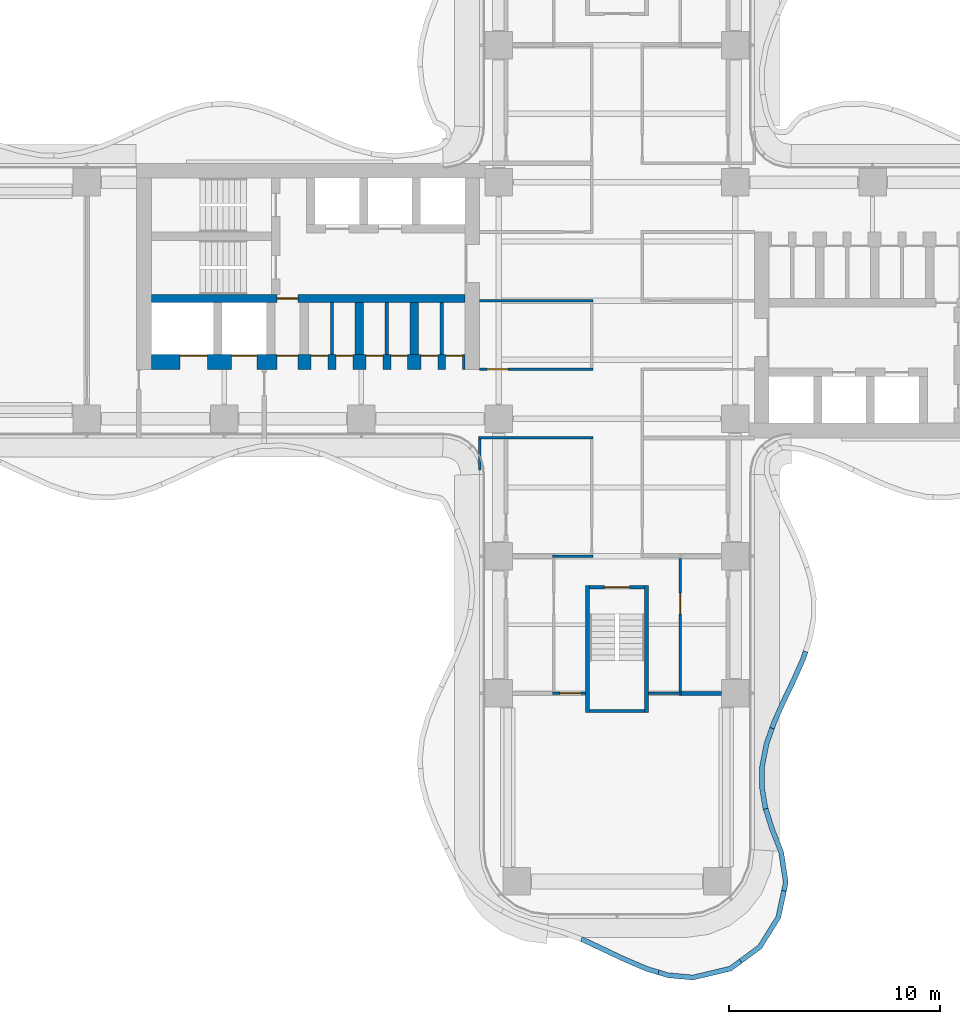
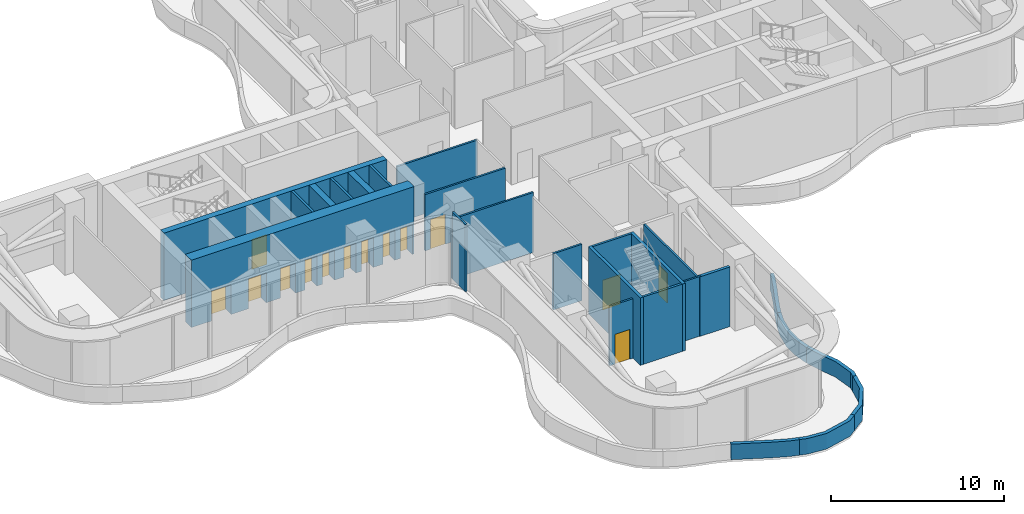
# One storey, part 13 of 20: 26 walls, 14 doors, 14 openings.
"""IFC4 building model written with IfcOpenShell, lengths in metres."""

from ifc_helpers import new_model, si_unit, direction, frame, frame_2d, origin, place, context, subcontext, project, spatial, polyline, rectangle, outline, extrude, source, transform, mapped, material, layer, layer_set, type_object, element, fill, save


model = new_model("IFC4")

# Units and contexts
model_context = context("Model", 3, precision=1e-05, world=origin(), true_north=direction((0.0, 1.0)))
body_context = subcontext(model_context, "Body", "Model", "MODEL_VIEW")
ifc_project = project(units=[si_unit("LENGTHUNIT", "METRE"), si_unit("AREAUNIT", "SQUARE_METRE"), si_unit("VOLUMEUNIT", "CUBIC_METRE"), si_unit("PLANEANGLEUNIT", "RADIAN"), si_unit("MASSUNIT", "GRAM", prefix="KILO")], contexts=[model_context])

# Site, building, storey
site_placement = place(None, origin())
site = spatial("IfcSite", under=ifc_project, at=site_placement, CompositionType="ELEMENT")
building_placement = place(site_placement, origin())
building = spatial("IfcBuilding", under=site, at=building_placement, Name="Trellis Farm Tower", CompositionType="ELEMENT")
storey_placement = place(building_placement, frame((0.0, 0.0, 92.5)))
storey = spatial("IfcBuildingStorey", under=building, at=storey_placement, Name="L19", CompositionType="ELEMENT", Elevation=92.5)

# Walls
ifc_material_1 = material(Name="Sandstone faced insulated wall", Category="masonry")
ifc_layer_1 = layer(ifc_material_1, 0.22509765625)
ifc_layer_set_1 = layer_set([ifc_layer_1], Name="PARAPET WALL 225")
wall_type_1 = type_object("IfcWallType", Name="PARAPET WALL 225", PredefinedType="PARAPET", material=ifc_layer_set_1)
placement = place(storey_placement, origin())
element("IfcWall", 1, at=placement, inside=storey, type_object=wall_type_1, Name="Parapet", PredefinedType="PARAPET", context=body_context, shape_type="SweptSolid", body=[
    extrude(outline(polyline([(9.04345703125, -16.64892578125), (8.914794921875, -17.029541015625), (8.481689453125, -18.00830078125), (7.995849609375, -19.015380859375), (7.54248046875, -20.023681640625), (7.4501953125, -20.2880859375), (7.228759765625, -20.211181640625), (7.322265625, -19.94140625), (7.7822265625, -18.91748046875), (8.267578125, -17.91162109375), (8.697509765625, -16.939453125), (8.821044921875, -16.57373046875), (9.04345703125, -16.64892578125)])), origin(), (0.0, 0.0, 1.0), 1.10009765625),
])
element("IfcWall", 2, at=placement, inside=storey, type_object=wall_type_1, Name="Parapet", PredefinedType="PARAPET", context=body_context, shape_type="SweptSolid", body=[
    extrude(outline(polyline([(7.4501953125, -20.2880859375), (7.193603515625, -21.022216796875), (6.99462890625, -22.035888671875), (6.97900390625, -23.01904296875), (7.130126953125, -23.9580078125), (7.15380859375, -24.03271484375), (6.930908203125, -24.10302734375), (6.899658203125, -24.004150390625), (6.743896484375, -23.025634765625), (6.760009765625, -22.021484375), (6.962158203125, -20.978271484375), (7.228759765625, -20.211181640625), (7.4501953125, -20.2880859375)])), origin(), (0.0, 0.0, 1.0), 1.10009765625),
])
element("IfcWall", 3, at=placement, inside=storey, type_object=wall_type_1, Name="Parapet", PredefinedType="PARAPET", context=body_context, shape_type="SweptSolid", body=[
    extrude(outline(polyline([(7.15380859375, -24.03271484375), (7.453125, -24.976318359375), (7.891845703125, -26.10546875), (8.10595703125, -27.505126953125), (8.103271484375, -27.59716796875), (8.0224609375, -27.974609375), (7.7919921875, -27.9248046875), (7.87109375, -27.558349609375), (7.8720703125, -27.530029296875), (7.659423828125, -26.14599609375), (7.23291015625, -25.058349609375), (6.930908203125, -24.10302734375), (7.15380859375, -24.03271484375)])), origin(), (0.0, 0.0, 1.0), 1.10009765625),
])
element("IfcWall", 4, at=placement, inside=storey, type_object=wall_type_1, Name="Parapet", PredefinedType="PARAPET", context=body_context, shape_type="SweptSolid", body=[
    extrude(outline(polyline([(8.0224609375, -27.974609375), (7.75927734375, -29.205322265625), (7.73828125, -29.263427734375), (6.871826171875, -30.6533203125), (6.828125, -30.70458984375), (5.926513671875, -31.366943359375), (5.7880859375, -31.177978515625), (6.658203125, -30.541015625), (6.678466796875, -30.519287109375), (7.5244140625, -29.165771484375), (7.7919921875, -27.9248046875), (8.0224609375, -27.974609375)])), origin(), (0.0, 0.0, 1.0), 1.10009765625),
])
element("IfcWall", 5, at=placement, inside=storey, type_object=wall_type_1, Name="Parapet", PredefinedType="PARAPET", context=body_context, shape_type="SweptSolid", body=[
    extrude(outline(polyline([(5.926513671875, -31.366943359375), (5.4580078125, -31.711181640625), (5.396728515625, -31.742919921875), (3.634765625, -32.16650390625), (3.584716796875, -32.169921875), (2.40478515625, -32.06298828125), (1.931396484375, -31.921142578125), (1.9990234375, -31.697998046875), (2.430419921875, -31.82861328125), (3.5986328125, -31.933349609375), (5.30126953125, -31.52734375), (5.32861328125, -31.5146484375), (5.7880859375, -31.177978515625), (5.926513671875, -31.366943359375)])), origin(), (0.0, 0.0, 1.0), 1.10009765625),
])
element("IfcWall", 6, at=placement, inside=storey, type_object=wall_type_1, Name="Parapet", PredefinedType="PARAPET", context=body_context, shape_type="SweptSolid", body=[
    extrude(outline(polyline([(1.931396484375, -31.921142578125), (1.388916015625, -31.7587890625), (0.3681640625, -31.32666015625), (-1.633544921875, -30.38330078125), (-1.72900390625, -30.346923828125), (-1.645751953125, -30.127197265625), (-1.546142578125, -30.1650390625), (0.46630859375, -31.113037109375), (1.45947265625, -31.5341796875), (1.9990234375, -31.697998046875), (1.931396484375, -31.921142578125)])), origin(), (0.0, 0.0, 1.0), 1.10009765625),
])
ifc_material_2 = material(Name="Concrete C80/95", Category="concrete")
ifc_layer_2 = layer(ifc_material_2, 0.39990234375)
ifc_layer_set_2 = layer_set([ifc_layer_2], Name="CORE INNER WALL 400 CONCRETE C80/95")
wall_type_2 = type_object("IfcWallType", Name="CORE INNER WALL 400 CONCRETE C80/95", PredefinedType="SHEAR", material=ifc_layer_set_2)
shared_shape_1 = source(origin(), body_context, "Body", "SweptSolid", [
    extrude(rectangle(XDim=2.449951171875, YDim=0.39990234375, at=frame_2d((1.22509765625, 0.0))), origin(), (0.0, 0.0, 1.0), 4.75),
])
for number, where, z_axis, x_axis, name in (
    (7, (-9.60009765625, -0.10009765625, 0.0), (0.0, 0.0, 1.0), (0.0, -1.0, 0.0), "Core wall"),
    (8, (-12.199951171875, -0.10009765625, 0.0), (0.0, 0.0, 1.0), (0.0, -1.0, 0.0), "Core wall"),
):
    element("IfcWall", number, at=place(storey_placement, frame(where, z_axis=z_axis, x_axis=x_axis)), inside=storey, type_object=wall_type_2, Name=name, PredefinedType="SHEAR", context=body_context, shape_type="MappedRepresentation", body=[
        mapped(shared_shape_1, transform((0.0, 0.0, 0.0))),
    ])
ifc_material_3 = material(Name="Masonry blockwork", Category="masonry")
ifc_layer_3 = layer(ifc_material_3, 0.14990234375)
ifc_layer_set_3 = layer_set([ifc_layer_3], Name="CORE PARTITION 150 BLOCKWORK")
wall_type_3 = type_object("IfcWallType", Name="CORE PARTITION 150 BLOCKWORK", PredefinedType="PARTITIONING", material=ifc_layer_set_3)
shared_shape_2 = source(origin(), body_context, "Body", "SweptSolid", [
    extrude(rectangle(XDim=2.449951171875, YDim=0.14990234375, at=frame_2d((1.22509765625, 0.0))), origin(), (0.0, 0.0, 1.0), 4.75),
])
for number, where, z_axis, x_axis, name in (
    (9, (-8.300048828125, -0.10009765625, 0.0), (0.0, 0.0, 1.0), (0.0, -1.0, 0.0), "Core room partition"),
    (10, (-10.89990234375, -0.10009765625, 0.0), (0.0, 0.0, 1.0), (0.0, -1.0, 0.0), "Core room partition"),
    (11, (-13.5, -0.10009765625, 0.0), (0.0, 0.0, 1.0), (0.0, -1.0, 0.0), "Core room partition"),
):
    element("IfcWall", number, at=place(storey_placement, frame(where, z_axis=z_axis, x_axis=x_axis)), inside=storey, type_object=wall_type_3, Name=name, PredefinedType="PARTITIONING", context=body_context, shape_type="MappedRepresentation", body=[
        mapped(shared_shape_2, transform((0.0, 0.0, 0.0))),
    ])

# Wall, openings, doors
ifc_layer_4 = layer(ifc_material_2, 0.699951171875)
ifc_layer_set_4 = layer_set([ifc_layer_4], Name="CORE OUTER WALL 700 CONCRETE C80/95")
wall_type_4 = type_object("IfcWallType", Name="CORE OUTER WALL 700 CONCRETE C80/95", PredefinedType="SHEAR", material=ifc_layer_set_4)
shared_shape_3 = source(origin(), body_context, "Body", "SweptSolid", [
    extrude(rectangle(XDim=14.85009765625, YDim=0.699951171875, at=frame_2d((7.425048828125, 0.0))), origin(), (0.0, 0.0, 1.0), 4.75),
])
wall_7_placement = place(storey_placement, frame((-7.199951171875, -2.89990234375, 0.0), z_axis=(0.0, 0.0, 1.0), x_axis=(-1.0, 0.0, 0.0)))
wall_7 = element("IfcWall", 12, at=wall_7_placement, inside=storey, type_object=wall_type_4, Name="Core wall", PredefinedType="SHEAR", context=body_context, shape_type="MappedRepresentation", body=[
    mapped(shared_shape_3, transform((0.0, 0.0, 0.0))),
])
shared_shape_4 = source(origin(), body_context, "Body", "SweptSolid", [
    extrude(rectangle(XDim=1.300048828125, YDim=2.10009765625, at=frame_2d((0.64990234375, 1.050048828125))), frame((0.0, 0.360107421875, 0.0), z_axis=(0.0, -1.0, 0.0), x_axis=(1.0, 0.0, 0.0)), (0.0, 0.0, 1.0), 0.72021484375),
])
opening_1_placement = place(wall_7_placement, frame((12.199951171875, 0.0, 0.0)))
opening_1 = element("IfcOpeningElement", 13, at=opening_1_placement, cuts=wall_7, Name="Opening LD15", PredefinedType="OPENING", context=body_context, shape_type="MappedRepresentation", body=[
    mapped(shared_shape_4, transform((0.0, 0.0, 0.0))),
])
shared_shape_5 = source(origin(), body_context, "Body", "SweptSolid", [
    extrude(rectangle(XDim=1.199951171875, YDim=2.10009765625, at=frame_2d((0.60009765625, 1.050048828125))), frame((0.0, 0.360107421875, 0.0), z_axis=(0.0, -1.0, 0.0), x_axis=(1.0, 0.0, 0.0)), (0.0, 0.0, 1.0), 0.72021484375),
])
opening_2_placement = place(wall_7_placement, frame((9.85009765625, 0.0, 0.0)))
opening_2 = element("IfcOpeningElement", 14, at=opening_2_placement, cuts=wall_7, Name="Opening LD16", PredefinedType="OPENING", context=body_context, shape_type="MappedRepresentation", body=[
    mapped(shared_shape_5, transform((0.0, 0.0, 0.0))),
])
shared_shape_6 = source(origin(), body_context, "Body", "SweptSolid", [
    extrude(rectangle(XDim=1.0, YDim=2.10009765625, at=frame_2d((0.5, 1.050048828125))), frame((0.0, 0.360107421875, 0.0), z_axis=(0.0, -1.0, 0.0), x_axis=(1.0, 0.0, 0.0)), (0.0, 0.0, 1.0), 0.72021484375),
])
opening_3_placement = place(wall_7_placement, frame((7.89990234375, 0.0, 0.0)))
opening_3 = element("IfcOpeningElement", 15, at=opening_3_placement, cuts=wall_7, Name="Opening DC92", PredefinedType="OPENING", context=body_context, shape_type="MappedRepresentation", body=[
    mapped(shared_shape_6, transform((0.0, 0.0, 0.0))),
])
shared_shape_7 = source(origin(), body_context, "Body", "SweptSolid", [
    extrude(rectangle(XDim=0.800048828125, YDim=2.10009765625, at=frame_2d((0.39990234375, 1.050048828125))), frame((0.0, 0.360107421875, 0.0), z_axis=(0.0, -1.0, 0.0), x_axis=(1.0, 0.0, 0.0)), (0.0, 0.0, 1.0), 0.72021484375),
])
opening_4_placement = place(wall_7_placement, frame((0.112548828125, 0.0, 0.0)))
opening_4 = element("IfcOpeningElement", 16, at=opening_4_placement, cuts=wall_7, Name="Opening DC95", PredefinedType="OPENING", context=body_context, shape_type="MappedRepresentation", body=[
    mapped(shared_shape_7, transform((0.0, 0.0, 0.0))),
])
opening_5_placement = place(wall_7_placement, frame((1.28759765625, 0.0, 0.0)))
opening_5 = element("IfcOpeningElement", 17, at=opening_5_placement, cuts=wall_7, Name="Opening DC102", PredefinedType="OPENING", context=body_context, shape_type="MappedRepresentation", body=[
    mapped(shared_shape_7, transform((0.0, 0.0, 0.0))),
])
opening_6_placement = place(wall_7_placement, frame((2.71240234375, 0.0, 0.0)))
opening_6 = element("IfcOpeningElement", 18, at=opening_6_placement, cuts=wall_7, Name="Opening DC107", PredefinedType="OPENING", context=body_context, shape_type="MappedRepresentation", body=[
    mapped(shared_shape_7, transform((0.0, 0.0, 0.0))),
])
opening_7_placement = place(wall_7_placement, frame((3.887451171875, 0.0, 0.0)))
opening_7 = element("IfcOpeningElement", 19, at=opening_7_placement, cuts=wall_7, Name="Opening DC114", PredefinedType="OPENING", context=body_context, shape_type="MappedRepresentation", body=[
    mapped(shared_shape_7, transform((0.0, 0.0, 0.0))),
])
opening_8_placement = place(wall_7_placement, frame((5.3125, 0.0, 0.0)))
opening_8 = element("IfcOpeningElement", 20, at=opening_8_placement, cuts=wall_7, Name="Opening DC119", PredefinedType="OPENING", context=body_context, shape_type="MappedRepresentation", body=[
    mapped(shared_shape_7, transform((0.0, 0.0, 0.0))),
])
opening_9_placement = place(wall_7_placement, frame((6.487548828125, 0.0, 0.0)))
opening_9 = element("IfcOpeningElement", 21, at=opening_9_placement, cuts=wall_7, Name="Opening DC126", PredefinedType="OPENING", context=body_context, shape_type="MappedRepresentation", body=[
    mapped(shared_shape_7, transform((0.0, 0.0, 0.0))),
])
ifc_material_4 = material(Name="Steel", Category="steel")
door_type_1 = type_object("IfcDoorType", Name="CORE FIRE DOOR 1000 X 2100", OperationType="NOTDEFINED", PredefinedType="DOOR", material=ifc_material_4)
shared_shape_8 = source(origin(), body_context, "Body", "SweptSolid", [
    extrude(rectangle(XDim=1.0, YDim=2.10009765625, at=frame_2d((0.5, 1.050048828125))), frame((0.0, -0.27490234375, 0.0), z_axis=(0.0, -1.0, 0.0), x_axis=(1.0, 0.0, 0.0)), (0.0, 0.0, 1.0), 0.050048828125),
])
door_1_placement = place(opening_3_placement, origin())
door_1 = element("IfcDoor", 22, at=door_1_placement, inside=storey, type_object=door_type_1, Name="Core door", OperationType="SINGLE_SWING_LEFT", OverallHeight=2.10009765625, OverallWidth=1.0, PredefinedType="DOOR", context=body_context, shape_type="MappedRepresentation", body=[
    mapped(shared_shape_8, transform((0.0, 0.0, 0.0))),
])
fill(opening_3, door_1)
ifc_material_5 = material(Name="Stainless steel", Category="steel")
door_type_2 = type_object("IfcDoorType", Name="LIFT LANDING DOOR 1300 X 2100", OperationType="DOUBLE_DOOR_SLIDING", PredefinedType="DOOR", material=ifc_material_5)
shared_shape_9 = source(origin(), body_context, "Body", "SweptSolid", [
    extrude(rectangle(XDim=1.300048828125, YDim=2.10009765625, at=frame_2d((0.64990234375, 1.050048828125))), frame((0.0, -0.27490234375, 0.0), z_axis=(0.0, -1.0, 0.0), x_axis=(1.0, 0.0, 0.0)), (0.0, 0.0, 1.0), 0.050048828125),
])
door_2_placement = place(opening_1_placement, origin())
door_2 = element("IfcDoor", 23, at=door_2_placement, inside=storey, type_object=door_type_2, Name="Lift landing door", OperationType="DOUBLE_DOOR_SLIDING", OverallHeight=2.10009765625, OverallWidth=1.300048828125, PredefinedType="DOOR", context=body_context, shape_type="MappedRepresentation", body=[
    mapped(shared_shape_9, transform((0.0, 0.0, 0.0))),
])
fill(opening_1, door_2)
door_type_3 = type_object("IfcDoorType", Name="LIFT LANDING DOOR 1200 X 2100", OperationType="DOUBLE_DOOR_SLIDING", PredefinedType="DOOR", material=ifc_material_5)
shared_shape_10 = source(origin(), body_context, "Body", "SweptSolid", [
    extrude(rectangle(XDim=1.199951171875, YDim=2.10009765625, at=frame_2d((0.60009765625, 1.050048828125))), frame((0.0, -0.27490234375, 0.0), z_axis=(0.0, -1.0, 0.0), x_axis=(1.0, 0.0, 0.0)), (0.0, 0.0, 1.0), 0.050048828125),
])
door_3_placement = place(opening_2_placement, origin())
door_3 = element("IfcDoor", 24, at=door_3_placement, inside=storey, type_object=door_type_3, Name="Lift landing door", OperationType="DOUBLE_DOOR_SLIDING", OverallHeight=2.10009765625, OverallWidth=1.199951171875, PredefinedType="DOOR", context=body_context, shape_type="MappedRepresentation", body=[
    mapped(shared_shape_10, transform((0.0, 0.0, 0.0))),
])
fill(opening_2, door_3)
door_type_4 = type_object("IfcDoorType", Name="CORE FIRE DOOR 800 X 2100", OperationType="NOTDEFINED", PredefinedType="DOOR", material=ifc_material_4)
shared_shape_11 = source(origin(), body_context, "Body", "SweptSolid", [
    extrude(rectangle(XDim=0.800048828125, YDim=2.10009765625, at=frame_2d((0.39990234375, 1.050048828125))), frame((0.0, -0.27490234375, 0.0), z_axis=(0.0, -1.0, 0.0), x_axis=(1.0, 0.0, 0.0)), (0.0, 0.0, 1.0), 0.050048828125),
])
door_4_placement = place(opening_4_placement, origin())
door_4 = element("IfcDoor", 25, at=door_4_placement, inside=storey, type_object=door_type_4, Name="Core door", OperationType="SINGLE_SWING_LEFT", OverallHeight=2.10009765625, OverallWidth=0.800048828125, PredefinedType="DOOR", context=body_context, shape_type="MappedRepresentation", body=[
    mapped(shared_shape_11, transform((0.0, 0.0, 0.0))),
])
fill(opening_4, door_4)
door_5_placement = place(opening_5_placement, origin())
door_5 = element("IfcDoor", 26, at=door_5_placement, inside=storey, type_object=door_type_4, Name="Core door", OperationType="SINGLE_SWING_RIGHT", OverallHeight=2.10009765625, OverallWidth=0.800048828125, PredefinedType="DOOR", context=body_context, shape_type="MappedRepresentation", body=[
    mapped(shared_shape_11, transform((0.0, 0.0, 0.0))),
])
fill(opening_5, door_5)
door_6_placement = place(opening_6_placement, origin())
door_6 = element("IfcDoor", 27, at=door_6_placement, inside=storey, type_object=door_type_4, Name="Core door", OperationType="SINGLE_SWING_LEFT", OverallHeight=2.10009765625, OverallWidth=0.800048828125, PredefinedType="DOOR", context=body_context, shape_type="MappedRepresentation", body=[
    mapped(shared_shape_11, transform((0.0, 0.0, 0.0))),
])
fill(opening_6, door_6)
door_7_placement = place(opening_7_placement, origin())
door_7 = element("IfcDoor", 28, at=door_7_placement, inside=storey, type_object=door_type_4, Name="Core door", OperationType="SINGLE_SWING_RIGHT", OverallHeight=2.10009765625, OverallWidth=0.800048828125, PredefinedType="DOOR", context=body_context, shape_type="MappedRepresentation", body=[
    mapped(shared_shape_11, transform((0.0, 0.0, 0.0))),
])
fill(opening_7, door_7)
door_8_placement = place(opening_8_placement, origin())
door_8 = element("IfcDoor", 29, at=door_8_placement, inside=storey, type_object=door_type_4, Name="Core door", OperationType="SINGLE_SWING_LEFT", OverallHeight=2.10009765625, OverallWidth=0.800048828125, PredefinedType="DOOR", context=body_context, shape_type="MappedRepresentation", body=[
    mapped(shared_shape_11, transform((0.0, 0.0, 0.0))),
])
fill(opening_8, door_8)
door_9_placement = place(opening_9_placement, origin())
door_9 = element("IfcDoor", 30, at=door_9_placement, inside=storey, type_object=door_type_4, Name="Core door", OperationType="SINGLE_SWING_RIGHT", OverallHeight=2.10009765625, OverallWidth=0.800048828125, PredefinedType="DOOR", context=body_context, shape_type="MappedRepresentation", body=[
    mapped(shared_shape_11, transform((0.0, 0.0, 0.0))),
])
fill(opening_9, door_9)

# Wall, opening, door
shared_shape_12 = source(origin(), body_context, "Body", "SweptSolid", [
    extrude(rectangle(XDim=14.85009765625, YDim=0.39990234375, at=frame_2d((7.425048828125, 0.0))), origin(), (0.0, 0.0, 1.0), 4.75),
])
wall_8_placement = place(storey_placement, frame((-7.199951171875, 0.10009765625, 0.0), z_axis=(0.0, 0.0, 1.0), x_axis=(-1.0, 0.0, 0.0)))
wall_8 = element("IfcWall", 31, at=wall_8_placement, inside=storey, type_object=wall_type_2, Name="Core wall", PredefinedType="SHEAR", context=body_context, shape_type="MappedRepresentation", body=[
    mapped(shared_shape_12, transform((0.0, 0.0, 0.0))),
])
shared_shape_13 = source(origin(), body_context, "Body", "SweptSolid", [
    extrude(rectangle(XDim=1.0, YDim=2.10009765625, at=frame_2d((0.5, 1.050048828125))), frame((0.0, 0.2099609375, 0.0), z_axis=(0.0, -1.0, 0.0), x_axis=(1.0, 0.0, 0.0)), (0.0, 0.0, 1.0), 0.419921875),
])
opening_10_placement = place(wall_8_placement, frame((7.89990234375, 0.0, 0.0)))
opening_10 = element("IfcOpeningElement", 32, at=opening_10_placement, cuts=wall_8, Name="Opening DC91", PredefinedType="OPENING", context=body_context, shape_type="MappedRepresentation", body=[
    mapped(shared_shape_13, transform((0.0, 0.0, 0.0))),
])
shared_shape_14 = source(origin(), body_context, "Body", "SweptSolid", [
    extrude(rectangle(XDim=1.0, YDim=2.10009765625, at=frame_2d((0.5, 1.050048828125))), frame((0.0, 0.02490234375, 0.0), z_axis=(0.0, -1.0, 0.0), x_axis=(1.0, 0.0, 0.0)), (0.0, 0.0, 1.0), 0.050048828125),
])
door_10_placement = place(opening_10_placement, origin())
door_10 = element("IfcDoor", 33, at=door_10_placement, inside=storey, type_object=door_type_1, Name="Core door", OperationType="SINGLE_SWING_RIGHT", OverallHeight=2.10009765625, OverallWidth=1.0, PredefinedType="DOOR", context=body_context, shape_type="MappedRepresentation", body=[
    mapped(shared_shape_14, transform((0.0, 0.0, 0.0))),
])
fill(opening_10, door_10)

# Walls
ifc_layer_5 = layer(ifc_material_2, 0.199951171875)
ifc_layer_set_5 = layer_set([ifc_layer_5], Name="CORE STAIR ENCLOSURE WALL 200 CONCRETE C80/95")
wall_type_5 = type_object("IfcWallType", Name="CORE STAIR ENCLOSURE WALL 200 CONCRETE C80/95", PredefinedType="SHEAR", material=ifc_layer_set_5)
shared_shape_15 = source(origin(), body_context, "Body", "SweptSolid", [
    extrude(rectangle(XDim=6.0, YDim=0.199951171875, at=frame_2d((3.0, 0.0))), origin(), (0.0, 0.0, 1.0), 4.75),
])
for number, where, z_axis, x_axis, name in (
    (34, (1.39990234375, -13.5, 0.0), (0.0, 0.0, 1.0), (0.0, -1.0, 0.0), "Stair enclosure wall"),
    (35, (-1.39990234375, -13.5, 0.0), (0.0, 0.0, 1.0), (0.0, -1.0, 0.0), "Stair enclosure wall"),
):
    element("IfcWall", number, at=place(storey_placement, frame(where, z_axis=z_axis, x_axis=x_axis)), inside=storey, type_object=wall_type_5, Name=name, PredefinedType="SHEAR", context=body_context, shape_type="MappedRepresentation", body=[
        mapped(shared_shape_15, transform((0.0, 0.0, 0.0))),
    ])

# Wall, opening, door
ifc_layer_6 = layer(ifc_material_2, 0.14990234375)
ifc_layer_set_6 = layer_set([ifc_layer_6], Name="CORE STAIR ENCLOSURE WALL 150 CONCRETE C80/95")
wall_type_6 = type_object("IfcWallType", Name="CORE STAIR ENCLOSURE WALL 150 CONCRETE C80/95", PredefinedType="SHEAR", material=ifc_layer_set_6)
shared_shape_16 = source(origin(), body_context, "Body", "SweptSolid", [
    extrude(rectangle(XDim=2.60009765625, YDim=0.14990234375, at=frame_2d((1.300048828125, 0.0))), origin(), (0.0, 0.0, 1.0), 4.75),
])
wall_9_placement = place(storey_placement, frame((1.300048828125, -13.574951171875, 0.0), z_axis=(0.0, 0.0, 1.0), x_axis=(-1.0, 0.0, 0.0)))
wall_9 = element("IfcWall", 36, at=wall_9_placement, inside=storey, type_object=wall_type_6, Name="Stair enclosure wall", PredefinedType="SHEAR", context=body_context, shape_type="MappedRepresentation", body=[
    mapped(shared_shape_16, transform((0.0, 0.0, 0.0))),
])
shared_shape_17 = source(origin(), body_context, "Body", "SweptSolid", [
    extrude(rectangle(XDim=1.199951171875, YDim=2.10009765625, at=frame_2d((0.60009765625, 1.050048828125))), frame((0.0, 0.0849609375, 0.0), z_axis=(0.0, -1.0, 0.0), x_axis=(1.0, 0.0, 0.0)), (0.0, 0.0, 1.0), 0.169921875),
])
opening_11_placement = place(wall_9_placement, frame((0.699951171875, 0.0, 0.0)))
opening_11 = element("IfcOpeningElement", 37, at=opening_11_placement, cuts=wall_9, Name="Opening DC174", PredefinedType="OPENING", context=body_context, shape_type="MappedRepresentation", body=[
    mapped(shared_shape_17, transform((0.0, 0.0, 0.0))),
])
door_type_5 = type_object("IfcDoorType", Name="CORE FIRE DOOR 1200 X 2100", OperationType="NOTDEFINED", PredefinedType="DOOR", material=ifc_material_4)
shared_shape_18 = source(origin(), body_context, "Body", "SweptSolid", [
    extrude(rectangle(XDim=1.199951171875, YDim=2.10009765625, at=frame_2d((0.60009765625, 1.050048828125))), frame((0.0, 0.02490234375, 0.0), z_axis=(0.0, -1.0, 0.0), x_axis=(1.0, 0.0, 0.0)), (0.0, 0.0, 1.0), 0.050048828125),
])
door_11_placement = place(opening_11_placement, origin())
door_11 = element("IfcDoor", 38, at=door_11_placement, inside=storey, type_object=door_type_5, Name="Core door", OperationType="SINGLE_SWING_RIGHT", OverallHeight=2.10009765625, OverallWidth=1.199951171875, PredefinedType="DOOR", context=body_context, shape_type="MappedRepresentation", body=[
    mapped(shared_shape_18, transform((0.0, 0.0, 0.0))),
])
fill(opening_11, door_11)

# Wall
wall_10_placement = place(storey_placement, frame((1.300048828125, -19.425048828125, 0.0), z_axis=(0.0, 0.0, 1.0), x_axis=(-1.0, 0.0, 0.0)))
element("IfcWall", 39, at=wall_10_placement, inside=storey, type_object=wall_type_6, Name="Stair enclosure wall", PredefinedType="SHEAR", context=body_context, shape_type="MappedRepresentation", body=[
    mapped(shared_shape_16, transform((0.0, 0.0, 0.0))),
])

# Wall, opening, door
ifc_material_6 = material(Name="Plasterboard on steel studs, mineral wool", Category="steel")
ifc_layer_7 = layer(ifc_material_6, 0.125)
ifc_layer_set_7 = layer_set([ifc_layer_7], Name="PARTITION 125 STUD EI 60")
wall_type_7 = type_object("IfcWallType", Name="PARTITION 125 STUD EI 60", PredefinedType="PARTITIONING", material=ifc_layer_set_7)
shared_shape_19 = source(origin(), body_context, "Body", "SweptSolid", [
    extrude(rectangle(XDim=6.300048828125, YDim=0.125, at=frame_2d((3.14990234375, 0.0))), origin(), (0.0, 0.0, 1.0), 3.9677734375),
])
wall_11_placement = place(storey_placement, frame((3.0, -12.199951171875, 0.0), z_axis=(0.0, 0.0, 1.0), x_axis=(0.0, -1.0, 0.0)))
wall_11 = element("IfcWall", 40, at=wall_11_placement, inside=storey, type_object=wall_type_7, Name="Partition PW1", PredefinedType="PARTITIONING", context=body_context, shape_type="MappedRepresentation", body=[
    mapped(shared_shape_19, transform((0.0, 0.0, 0.0))),
])
shared_shape_20 = source(origin(), body_context, "Body", "SweptSolid", [
    extrude(rectangle(XDim=1.0, YDim=2.10009765625, at=frame_2d((0.5, 1.050048828125))), frame((0.0, 0.072509765625, 0.0), z_axis=(0.0, -1.0, 0.0), x_axis=(1.0, 0.0, 0.0)), (0.0, 0.0, 1.0), 0.14501953125),
])
opening_12_placement = place(wall_11_placement, frame((1.64990234375, 0.0, 0.0)))
opening_12 = element("IfcOpeningElement", 41, at=opening_12_placement, cuts=wall_11, Name="Opening D302", PredefinedType="OPENING", context=body_context, shape_type="MappedRepresentation", body=[
    mapped(shared_shape_20, transform((0.0, 0.0, 0.0))),
])
ifc_material_7 = material(Name="Fire-rated timber door leaf in a hollow metal frame", Category="wood")
door_type_6 = type_object("IfcDoorType", Name="DOOR 1000x2100 FD60", OperationType="NOTDEFINED", PredefinedType="DOOR", material=ifc_material_7)
door_12_placement = place(opening_12_placement, origin())
door_12 = element("IfcDoor", 42, at=door_12_placement, inside=storey, type_object=door_type_6, Name="Door D302", OperationType="SINGLE_SWING_LEFT", OverallHeight=2.10009765625, OverallWidth=1.0, PredefinedType="DOOR", context=body_context, shape_type="MappedRepresentation", body=[
    mapped(shared_shape_14, transform((0.0, 0.0, 0.0))),
])
fill(opening_12, door_12)

# Walls
shared_shape_21 = source(origin(), body_context, "Body", "SweptSolid", [
    extrude(rectangle(XDim=1.468994140625, YDim=0.125, at=frame_2d((0.734375, 0.0))), origin(), (0.0, 0.0, 1.0), 4.75),
])
wall_12_placement = place(storey_placement, frame((-6.5, -6.5625, 0.0), z_axis=(0.0, 0.0, 1.0), x_axis=(0.0, -1.0, 0.0)))
element("IfcWall", 43, at=wall_12_placement, inside=storey, type_object=wall_type_7, Name="Partition PW1", PredefinedType="PARTITIONING", context=body_context, shape_type="MappedRepresentation", body=[
    mapped(shared_shape_21, transform((0.0, 0.0, 0.0))),
])
ifc_material_8 = material(Name="Lightweight blockwork, plastered", Category="masonry")
ifc_layer_8 = layer(ifc_material_8, 0.199951171875)
ifc_layer_set_8 = layer_set([ifc_layer_8], Name="BLOCK WALL 200 EI 120")
wall_type_8 = type_object("IfcWallType", Name="BLOCK WALL 200 EI 120", PredefinedType="PARTITIONING", material=ifc_layer_set_8)
shared_shape_22 = source(origin(), body_context, "Body", "SweptSolid", [
    extrude(rectangle(XDim=2.012451171875, YDim=0.199951171875, at=frame_2d((1.00634765625, 0.0))), origin(), (0.0, 0.0, 1.0), 4.197021484375),
])
wall_13_placement = place(storey_placement, frame((2.9375, -18.60009765625, 0.0), z_axis=(0.0, 0.0, 1.0), x_axis=(1.0, 0.0, 0.0)))
element("IfcWall", 44, at=wall_13_placement, inside=storey, type_object=wall_type_8, Name="Partition PW3", PredefinedType="PARTITIONING", context=body_context, shape_type="MappedRepresentation", body=[
    mapped(shared_shape_22, transform((0.0, 0.0, 0.0))),
])

# Wall, opening, door
shared_shape_23 = source(origin(), body_context, "Body", "SweptSolid", [
    extrude(rectangle(XDim=1.5625, YDim=0.125, at=frame_2d((0.78125, 0.0))), origin(), (0.0, 0.0, 1.0), 4.197021484375),
])
wall_14_placement = place(storey_placement, frame((-1.5, -18.60009765625, 0.0), z_axis=(0.0, 0.0, 1.0), x_axis=(-1.0, 0.0, 0.0)))
wall_14 = element("IfcWall", 45, at=wall_14_placement, inside=storey, type_object=wall_type_7, Name="Partition PW1", PredefinedType="PARTITIONING", context=body_context, shape_type="MappedRepresentation", body=[
    mapped(shared_shape_23, transform((0.0, 0.0, 0.0))),
])
opening_13_placement = place(wall_14_placement, frame((0.199951171875, 0.0, 0.0)))
opening_13 = element("IfcOpeningElement", 46, at=opening_13_placement, cuts=wall_14, Name="Opening D101", PredefinedType="OPENING", context=body_context, shape_type="MappedRepresentation", body=[
    mapped(shared_shape_20, transform((0.0, 0.0, 0.0))),
])
door_type_7 = type_object("IfcDoorType", Name="DOOR 1000x2100 FD30S", OperationType="NOTDEFINED", PredefinedType="DOOR", material=ifc_material_7)
door_13_placement = place(opening_13_placement, origin())
door_13 = element("IfcDoor", 47, at=door_13_placement, inside=storey, type_object=door_type_7, Name="Door D101", OperationType="SINGLE_SWING_LEFT", OverallHeight=2.10009765625, OverallWidth=1.0, PredefinedType="DOOR", context=body_context, shape_type="MappedRepresentation", body=[
    mapped(shared_shape_14, transform((0.0, 0.0, 0.0))),
])
fill(opening_13, door_13)

# Walls
wall_15_placement = place(storey_placement, frame((3.0625, -18.60009765625, 0.0), z_axis=(0.0, 0.0, 1.0), x_axis=(-1.0, 0.0, 0.0)))
element("IfcWall", 48, at=wall_15_placement, inside=storey, type_object=wall_type_7, Name="Partition PW1", PredefinedType="PARTITIONING", context=body_context, shape_type="MappedRepresentation", body=[
    mapped(shared_shape_23, transform((0.0, 0.0, 0.0))),
])
shared_shape_24 = source(origin(), body_context, "Body", "SweptSolid", [
    extrude(rectangle(XDim=1.925048828125, YDim=0.125, at=frame_2d((0.96240234375, 0.0))), origin(), (0.0, 0.0, 1.0), 3.9677734375),
])
wall_16_placement = place(storey_placement, frame((-3.0625, -12.10009765625, 0.0), z_axis=(0.0, 0.0, 1.0), x_axis=(1.0, 0.0, 0.0)))
element("IfcWall", 49, at=wall_16_placement, inside=storey, type_object=wall_type_7, Name="Partition PW1", PredefinedType="PARTITIONING", context=body_context, shape_type="MappedRepresentation", body=[
    mapped(shared_shape_24, transform((0.0, 0.0, 0.0))),
])

# Wall, opening, door
shared_shape_25 = source(origin(), body_context, "Body", "SweptSolid", [
    extrude(rectangle(XDim=5.362548828125, YDim=0.125, at=frame_2d((2.68115234375, 0.0))), origin(), (0.0, 0.0, 1.0), 3.9677734375),
])
wall_17_placement = place(storey_placement, frame((-1.137451171875, -3.25, 0.0), z_axis=(0.0, 0.0, 1.0), x_axis=(-1.0, 0.0, 0.0)))
wall_17 = element("IfcWall", 50, at=wall_17_placement, inside=storey, type_object=wall_type_7, Name="Partition PW1", PredefinedType="PARTITIONING", context=body_context, shape_type="MappedRepresentation", body=[
    mapped(shared_shape_25, transform((0.0, 0.0, 0.0))),
])
opening_14_placement = place(wall_17_placement, frame((4.012451171875, 0.0, 0.0)))
opening_14 = element("IfcOpeningElement", 51, at=opening_14_placement, cuts=wall_17, Name="Opening D106", PredefinedType="OPENING", context=body_context, shape_type="MappedRepresentation", body=[
    mapped(shared_shape_20, transform((0.0, 0.0, 0.0))),
])
door_14_placement = place(opening_14_placement, origin())
door_14 = element("IfcDoor", 52, at=door_14_placement, inside=storey, type_object=door_type_7, Name="Door D106", OperationType="SINGLE_SWING_RIGHT", OverallHeight=2.10009765625, OverallWidth=1.0, PredefinedType="DOOR", context=body_context, shape_type="MappedRepresentation", body=[
    mapped(shared_shape_14, transform((0.0, 0.0, 0.0))),
])
fill(opening_14, door_14)

# Walls
wall_18_placement = place(storey_placement, frame((-1.137451171875, 0.0, 0.0), z_axis=(0.0, 0.0, 1.0), x_axis=(-1.0, 0.0, 0.0)))
element("IfcWall", 53, at=wall_18_placement, inside=storey, type_object=wall_type_7, Name="Partition PW1", PredefinedType="PARTITIONING", context=body_context, shape_type="MappedRepresentation", body=[
    mapped(shared_shape_25, transform((0.0, 0.0, 0.0))),
])
shared_shape_26 = source(origin(), body_context, "Body", "SweptSolid", [
    extrude(rectangle(XDim=5.425048828125, YDim=0.125, at=frame_2d((2.71240234375, 0.0))), origin(), (0.0, 0.0, 1.0), 4.22998046875),
])
wall_19_placement = place(storey_placement, frame((-1.137451171875, -6.5, 0.0), z_axis=(0.0, 0.0, 1.0), x_axis=(-1.0, 0.0, 0.0)))
element("IfcWall", 54, at=wall_19_placement, inside=storey, type_object=wall_type_7, Name="Partition PW1", PredefinedType="PARTITIONING", context=body_context, shape_type="MappedRepresentation", body=[
    mapped(shared_shape_26, transform((0.0, 0.0, 0.0))),
])

save(model, "model.ifc")
